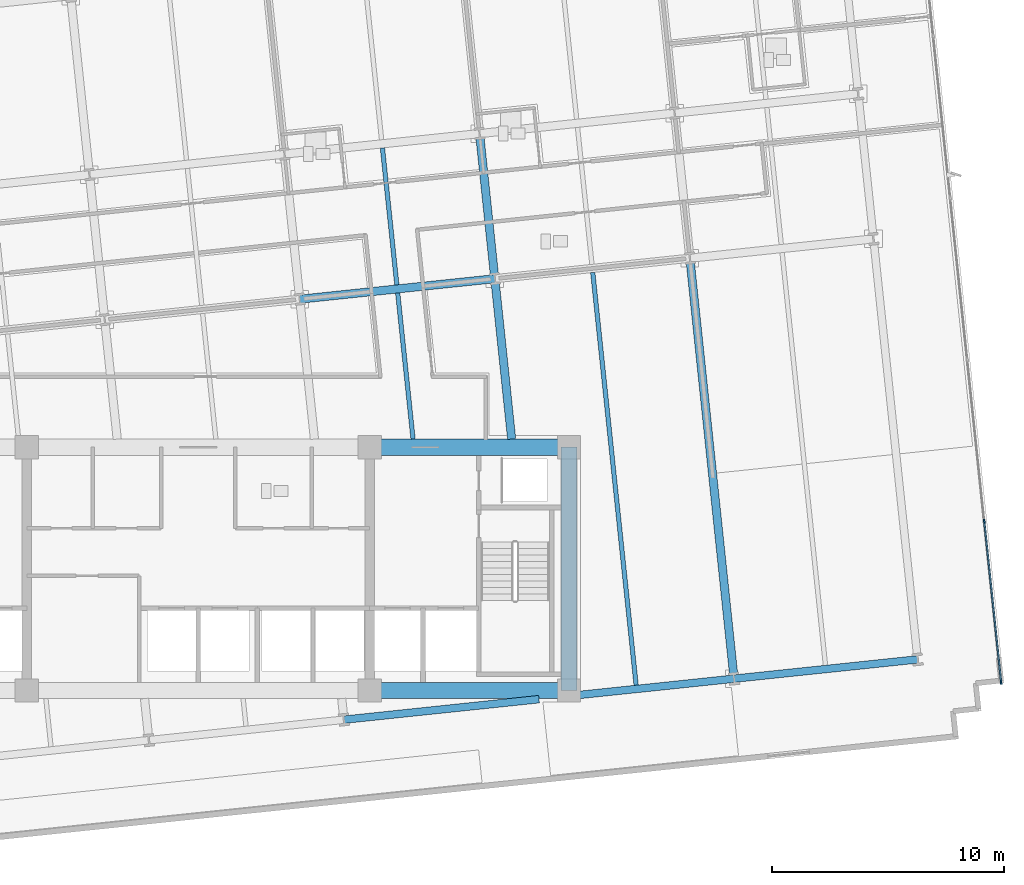
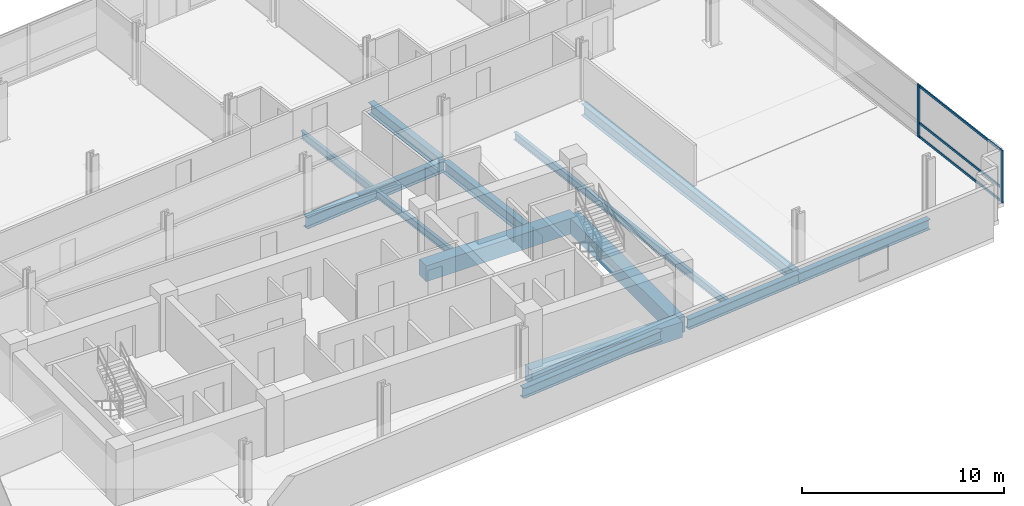
# One storey, part 4 of 18: 13 beams, 5 members, 1 element without a shape of its own.
"""IFC4 building model written with IfcOpenShell, lengths in metres."""

from ifc_helpers import new_model, si_unit, direction, frame, origin, origin_2d, place, context, subcontext, project, spatial, rectangle, i_section, extrude, material, material_profile, profile_set, type_object, element, aggregate, save


model = new_model("IFC4")

# Units and contexts
model_context = context("Model", 3, precision=1e-05, world=origin(), true_north=direction((0.0, 1.0)))
body_context = subcontext(model_context, "Body", "Model", "MODEL_VIEW")
ifc_project = project(units=[si_unit("LENGTHUNIT", "METRE"), si_unit("AREAUNIT", "SQUARE_METRE"), si_unit("VOLUMEUNIT", "CUBIC_METRE"), si_unit("PLANEANGLEUNIT", "RADIAN"), si_unit("MASSUNIT", "GRAM", prefix="KILO")], contexts=[model_context])

# Site, building, storey
site_placement = place(None, origin())
site = spatial("IfcSite", under=ifc_project, at=site_placement, CompositionType="ELEMENT")
building_placement = place(site_placement, origin())
building = spatial("IfcBuilding", under=site, at=building_placement, Name="Solmavex Isthmus Hotel", CompositionType="ELEMENT")
storey_placement = place(building_placement, frame((0.0, 0.0, 123.60009765625)))
storey = spatial("IfcBuildingStorey", under=building, at=storey_placement, Name="L33", CompositionType="ELEMENT", Elevation=123.60009765625)

# Beams
ifc_material_1 = material(Name="Steel ASTM A992 Grade 50", Category="steel")
ifc_material_profile_1 = material_profile(ifc_material_1, i_section(OverallWidth=0.354736328125, OverallDepth=0.695556640625, WebThickness=0.015380859375, FlangeThickness=0.02490234375, FilletRadius=0.017822265625, at=origin_2d()), Name="W27X146")
ifc_profile_set_1 = profile_set([ifc_material_profile_1], Name="Steel ASTM A992 Grade 50")
beam_type_1 = type_object("IfcBeamType", Name="BM-BG-W27X146", PredefinedType="BEAM", material=ifc_profile_set_1)
beam_1_placement = place(storey_placement, frame((4.38037109375, 3.888427734375, -0.60791015625), z_axis=(0.994521085209, 0.104536171134, 0.0), x_axis=(-0.104536171134, 0.994521085209, 0.0)))
element("IfcBeam", 1, at=beam_1_placement, inside=storey, type_object=beam_type_1, Name="Floor Girder L33-UG10", PredefinedType="BEAM", context=body_context, shape_type="SweptSolid", body=[
    extrude(i_section(OverallWidth=0.354736328125, OverallDepth=0.695556640625, WebThickness=0.015380859375, FlangeThickness=0.02490234375, FilletRadius=0.017822265625, at=origin_2d()), origin(), (0.0, 0.0, 1.0), 8.466064453125),
])
beam_2_placement = place(storey_placement, frame((13.52783203125, -2.14990234375, -0.60791015625), z_axis=(-0.104544283528, 0.994520232465, 0.0), x_axis=(-0.994520232465, -0.104544283528, 0.0)))
element("IfcBeam", 2, at=beam_2_placement, inside=storey, type_object=beam_type_1, Name="Floor Beam L33-VG40", PredefinedType="BEAM", context=body_context, shape_type="SweptSolid", body=[
    extrude(i_section(OverallWidth=0.354736328125, OverallDepth=0.695556640625, WebThickness=0.015380859375, FlangeThickness=0.02490234375, FilletRadius=0.017822265625, at=origin_2d()), origin(), (0.0, 0.0, 1.0), 6.783935546875),
])
beam_3_placement = place(storey_placement, frame((12.781494140625, 4.949951171875, -0.60791015625), z_axis=(-0.104505160346, 0.994524344328, 0.0), x_axis=(-0.994524344328, -0.104505160346, 0.0)))
element("IfcBeam", 3, at=beam_3_placement, inside=storey, type_object=beam_type_1, Name="Floor Beam L33-VG41", PredefinedType="BEAM", context=body_context, shape_type="SweptSolid", body=[
    extrude(i_section(OverallWidth=0.354736328125, OverallDepth=0.695556640625, WebThickness=0.015380859375, FlangeThickness=0.02490234375, FilletRadius=0.017822265625, at=origin_2d()), origin(), (0.0, 0.0, 1.0), 5.943115234375),
])
beam_4_placement = place(storey_placement, frame((23.1103515625, -12.329345703125, -0.60791015625), z_axis=(-0.104530088192, 0.99452172458, 0.0), x_axis=(-0.99452172458, -0.104530088192, 0.0)))
element("IfcBeam", 4, at=beam_4_placement, inside=storey, type_object=beam_type_1, Name="Floor Beam L33-VG43", PredefinedType="BEAM", context=body_context, shape_type="SweptSolid", body=[
    extrude(i_section(OverallWidth=0.354736328125, OverallDepth=0.695556640625, WebThickness=0.015380859375, FlangeThickness=0.02490234375, FilletRadius=0.017822265625, at=origin_2d()), origin(), (0.0, 0.0, 1.0), 17.909423828125),
])
ifc_material_profile_2 = material_profile(ifc_material_1, i_section(OverallWidth=0.1904296875, OverallDepth=0.456787109375, WebThickness=0.009033203125, FlangeThickness=0.014404296875, FilletRadius=0.0126953125, at=origin_2d()), Name="W18X50")
ifc_profile_set_2 = profile_set([ifc_material_profile_2], Name="Steel ASTM A992 Grade 50")
beam_type_2 = type_object("IfcBeamType", Name="BM-BJ-W18X50", PredefinedType="JOIST", material=ifc_profile_set_2)
beam_5_placement = place(storey_placement, frame((9.271484375, -2.14990234375, -0.488525390625), z_axis=(-0.104524400071, 0.994522322419, 0.0), x_axis=(-0.994522322419, -0.104524400071, 0.0)))
element("IfcBeam", 5, at=beam_5_placement, inside=storey, type_object=beam_type_2, Name="Secondary Floor Joist L33-J13", PredefinedType="JOIST", context=body_context, shape_type="SweptSolid", body=[
    extrude(i_section(OverallWidth=0.1904296875, OverallDepth=0.456787109375, WebThickness=0.009033203125, FlangeThickness=0.014404296875, FilletRadius=0.0126953125, at=origin_2d()), origin(), (0.0, 0.0, 1.0), 6.339111328125),
])
beam_6_placement = place(storey_placement, frame((8.57177734375, 4.50732421875, -0.488525390625), z_axis=(-0.104545790518, 0.994520074048, 0.0), x_axis=(-0.994520074048, -0.104545790518, 0.0)))
element("IfcBeam", 6, at=beam_6_placement, inside=storey, type_object=beam_type_2, Name="Secondary Floor Joist L33-J14", PredefinedType="JOIST", context=body_context, shape_type="SweptSolid", body=[
    extrude(i_section(OverallWidth=0.1904296875, OverallDepth=0.456787109375, WebThickness=0.009033203125, FlangeThickness=0.014404296875, FilletRadius=0.0126953125, at=origin_2d()), origin(), (0.0, 0.0, 1.0), 5.943115234375),
])
beam_7_placement = place(storey_placement, frame((18.900390625, -12.771728515625, -0.488525390625), z_axis=(-0.104516605126, 0.994523141638, 0.0), x_axis=(-0.994523141638, -0.104516605126, 0.0)))
element("IfcBeam", 7, at=beam_7_placement, inside=storey, type_object=beam_type_2, Name="Secondary Floor Joist L33-J16", PredefinedType="JOIST", context=body_context, shape_type="SweptSolid", body=[
    extrude(i_section(OverallWidth=0.1904296875, OverallDepth=0.456787109375, WebThickness=0.009033203125, FlangeThickness=0.014404296875, FilletRadius=0.0126953125, at=origin_2d()), origin(), (0.0, 0.0, 1.0), 17.909423828125),
])
ifc_material_2 = material(Name="Concrete C60/75", Category="concrete")
ifc_material_profile_3 = material_profile(ifc_material_2, rectangle(XDim=0.699951171875, YDim=0.949951171875, at=origin_2d()), Name="RC700X950")
ifc_profile_set_3 = profile_set([ifc_material_profile_3], Name="Concrete C60/75")
beam_type_3 = type_object("IfcBeamType", Name="BM-CB-700X950", PredefinedType="BEAM", material=ifc_profile_set_3)
for number, where, z_axis, x_axis, name in (
    (8, (7.39990234375, -13.0, -0.735107421875), (1.0, 0.0, 0.0), (0.0, 1.0, 0.0), "Core Coupling Beam L33-CB3"),
    (9, (7.39990234375, -2.5, -0.735107421875), (1.0, 0.0, 0.0), (0.0, 1.0, 0.0), "Core Coupling Beam L33-CB6"),
):
    element("IfcBeam", number, at=place(storey_placement, frame(where, z_axis=z_axis, x_axis=x_axis)), inside=storey, type_object=beam_type_3, Name=name, PredefinedType="BEAM", context=body_context, shape_type="SweptSolid", body=[
        extrude(rectangle(XDim=0.699951171875, YDim=0.949951171875, at=origin_2d()), origin(), (0.0, 0.0, 1.0), 8.60009765625),
    ])
beam_8_placement = place(storey_placement, frame((16.0, -13.0, -0.735107421875), z_axis=(0.0, 1.0, 0.0), x_axis=(-1.0, 0.0, 0.0)))
element("IfcBeam", 10, at=beam_8_placement, inside=storey, type_object=beam_type_3, Name="Core Coupling Beam L33-CB8", PredefinedType="BEAM", context=body_context, shape_type="SweptSolid", body=[
    extrude(rectangle(XDim=0.699951171875, YDim=0.949951171875, at=origin_2d()), origin(), (0.0, 0.0, 1.0), 10.5),
])
ifc_material_profile_4 = material_profile(ifc_material_1, i_section(OverallWidth=0.326416015625, OverallDepth=0.621826171875, WebThickness=0.015380859375, FlangeThickness=0.0244140625, FilletRadius=0.01513671875, at=origin_2d()), Name="W24X131")
ifc_profile_set_4 = profile_set([ifc_material_profile_4], Name="Steel ASTM A992 Grade 50")
beam_type_4 = type_object("IfcBeamType", Name="BM-SP-W24X131", PredefinedType="SPANDREL", material=ifc_profile_set_4)
beam_9_placement = place(storey_placement, frame((6.2880859375, -14.261474609375, -0.571044921875), z_axis=(0.994524082861, 0.104507648572, 0.0), x_axis=(-0.104507648572, 0.994524082861, 0.0)))
element("IfcBeam", 11, at=beam_9_placement, inside=storey, type_object=beam_type_4, Name="Floor Girder L33-UG04", PredefinedType="SPANDREL", context=body_context, shape_type="SweptSolid", body=[
    extrude(i_section(OverallWidth=0.326416015625, OverallDepth=0.621826171875, WebThickness=0.015380859375, FlangeThickness=0.0244140625, FilletRadius=0.01513671875, at=origin_2d()), origin(), (0.0, 0.0, 1.0), 8.466064453125),
])
beam_10_placement = place(storey_placement, frame((16.35009765625, -13.2041015625, -0.571044921875), z_axis=(0.994520754079, 0.10453932134, 0.0), x_axis=(-0.10453932134, 0.994520754079, 0.0)))
element("IfcBeam", 12, at=beam_10_placement, inside=storey, type_object=beam_type_4, Name="Floor Girder L33-UG05", PredefinedType="SPANDREL", context=body_context, shape_type="SweptSolid", body=[
    extrude(i_section(OverallWidth=0.326416015625, OverallDepth=0.621826171875, WebThickness=0.015380859375, FlangeThickness=0.0244140625, FilletRadius=0.01513671875, at=origin_2d()), origin(), (0.0, 0.0, 1.0), 6.814697265625),
])
beam_11_placement = place(storey_placement, frame((23.12744140625, -12.49169921875, -0.571044921875), z_axis=(0.994520217478, 0.10454442609, 0.0), x_axis=(-0.10454442609, 0.994520217478, 0.0)))
element("IfcBeam", 13, at=beam_11_placement, inside=storey, type_object=beam_type_4, Name="Floor Girder L33-UG06", PredefinedType="SPANDREL", context=body_context, shape_type="SweptSolid", body=[
    extrude(i_section(OverallWidth=0.326416015625, OverallDepth=0.621826171875, WebThickness=0.015380859375, FlangeThickness=0.0244140625, FilletRadius=0.01513671875, at=origin_2d()), origin(), (0.0, 0.0, 1.0), 7.968017578125),
])

# Curtain wall, members
ifc_material_3 = material(Name="Aluminium alloy 6063-T6", Category="aluminium")
curtain_wall_type = type_object("IfcCurtainWallType", Name="CW-SYS-03", PredefinedType="NOTDEFINED", material=ifc_material_3)
curtain_wall_placement = place(storey_placement, origin())
curtain_wall = element("IfcCurtainWall", 14, at=curtain_wall_placement, inside=storey, type_object=curtain_wall_type, Name="Stick Curtain Wall CWL-L33-E1", PredefinedType="NOTDEFINED")
ifc_material_profile_5 = material_profile(ifc_material_3, rectangle(XDim=0.070068359375, YDim=0.179931640625, at=origin_2d()), Name="CWM-70X180")
ifc_profile_set_5 = profile_set([ifc_material_profile_5], Name="Aluminium alloy 6063-T6")
member_type_1 = type_object("IfcMemberType", Name="CW-SYS-03-MUL", PredefinedType="MULLION", material=ifc_profile_set_5)
member_1_placement = place(storey_placement, frame((34.6552734375, -12.652587890625, 0.0), z_axis=(0.0, 0.0, 1.0), x_axis=(-0.994521893044, -0.104528485381, 0.0)))
member_1 = element("IfcMember", 15, at=member_1_placement, type_object=member_type_1, Name="CW-03 mullion 1", PredefinedType="MULLION", context=body_context, shape_type="SweptSolid", body=[
    extrude(rectangle(XDim=0.070068359375, YDim=0.179931640625, at=origin_2d()), origin(), (0.0, 0.0, 1.0), 3.18994140625),
])
member_2_placement = place(storey_placement, frame((33.92529296875, -5.705810546875, 0.0), z_axis=(0.0, 0.0, 1.0), x_axis=(-0.994521893044, -0.104528485381, 0.0)))
member_2 = element("IfcMember", 16, at=member_2_placement, type_object=member_type_1, Name="CW-03 mullion 2", PredefinedType="MULLION", context=body_context, shape_type="SweptSolid", body=[
    extrude(rectangle(XDim=0.070068359375, YDim=0.179931640625, at=origin_2d()), origin(), (0.0, 0.0, 1.0), 3.18994140625),
])
ifc_material_profile_6 = material_profile(ifc_material_3, rectangle(XDim=0.070068359375, YDim=0.139892578125, at=origin_2d()), Name="CWT-70X140")
ifc_profile_set_6 = profile_set([ifc_material_profile_6], Name="Aluminium alloy 6063-T6")
member_type_2 = type_object("IfcMemberType", Name="CW-SYS-03-TRN", PredefinedType="USERDEFINED", material=ifc_profile_set_6)
member_3_placement = place(storey_placement, frame((34.651611328125, -12.61767578125, 0.06982421875), z_axis=(-0.104508345235, 0.994524009653, 0.0), x_axis=(-0.994524009653, -0.104508345235, 0.0)))
member_3 = element("IfcMember", 17, at=member_3_placement, type_object=member_type_2, Name="CW-03 transom 1.1", ObjectType="TRANSOM", PredefinedType="USERDEFINED", context=body_context, shape_type="SweptSolid", body=[
    extrude(rectangle(XDim=0.070068359375, YDim=0.139892578125, at=origin_2d()), origin(), (0.0, 0.0, 1.0), 6.914794921875),
])
member_4_placement = place(storey_placement, frame((34.651611328125, -12.61767578125, 0.89990234375), z_axis=(-0.104508345235, 0.994524009653, 0.0), x_axis=(-0.994524009653, -0.104508345235, 0.0)))
member_4 = element("IfcMember", 18, at=member_4_placement, type_object=member_type_2, Name="CW-03 transom 1.2", ObjectType="TRANSOM", PredefinedType="USERDEFINED", context=body_context, shape_type="SweptSolid", body=[
    extrude(rectangle(XDim=0.070068359375, YDim=0.139892578125, at=origin_2d()), origin(), (0.0, 0.0, 1.0), 6.914794921875),
])
member_5_placement = place(storey_placement, frame((34.651611328125, -12.61767578125, 3.119873046875), z_axis=(-0.104508345235, 0.994524009653, 0.0), x_axis=(-0.994524009653, -0.104508345235, 0.0)))
member_5 = element("IfcMember", 19, at=member_5_placement, type_object=member_type_2, Name="CW-03 transom 1.3", ObjectType="TRANSOM", PredefinedType="USERDEFINED", context=body_context, shape_type="SweptSolid", body=[
    extrude(rectangle(XDim=0.070068359375, YDim=0.139892578125, at=origin_2d()), origin(), (0.0, 0.0, 1.0), 6.914794921875),
])
aggregate(curtain_wall, [member_1, member_2, member_3, member_4, member_5])

save(model, "model.ifc")
